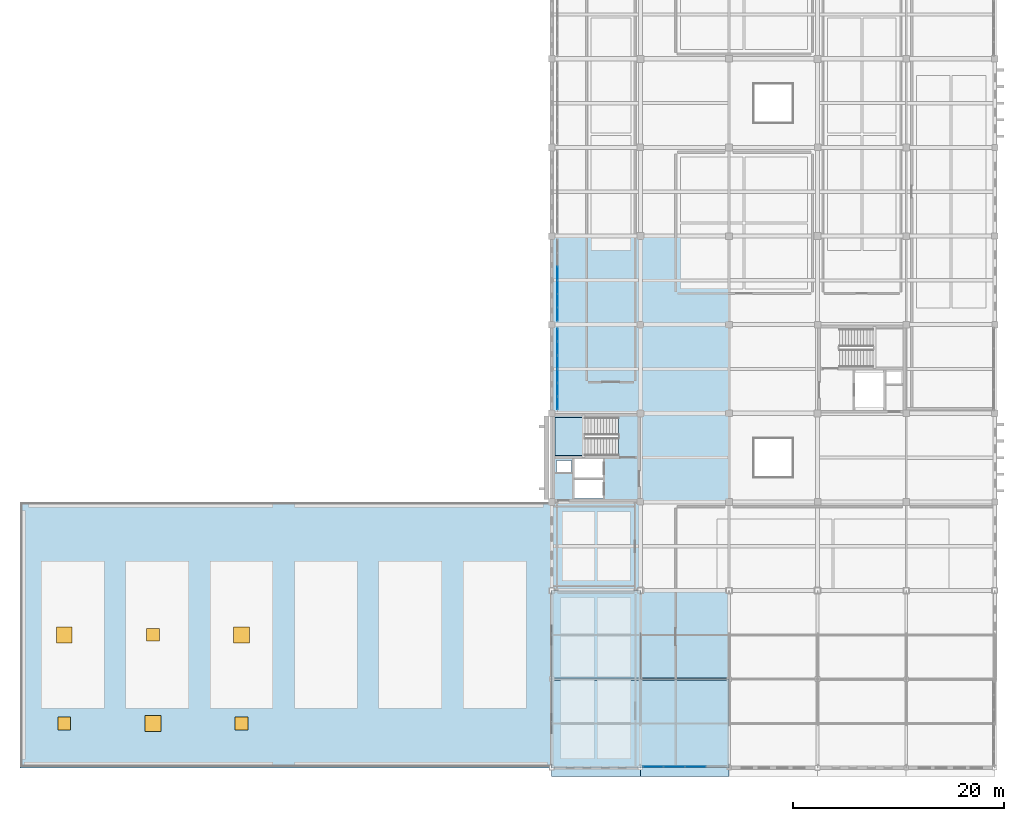
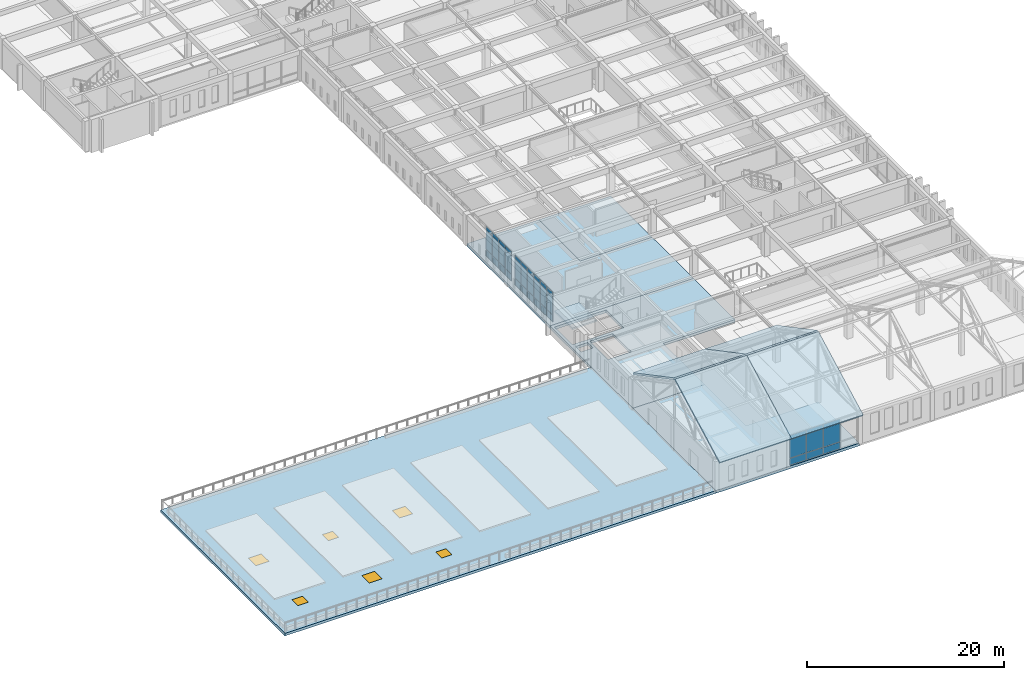
# One storey, part 22 of 47: 39 plates, 10 slabs, 6 windows, 6 openings, 4 elements without a shape of their own.
"""IFC4 building model written with IfcOpenShell, lengths in metres."""

from ifc_helpers import new_model, si_unit, direction, frame, origin, origin_2d, place, context, subcontext, project, spatial, polyline, rectangle, outline, extrude, material, layer, layer_set, type_object, element, fill, aggregate, save


model = new_model("IFC4")

# Units and contexts
model_context = context("Model", 3, precision=1e-05, world=origin(), true_north=direction((0.0, 1.0)))
body_context = subcontext(model_context, "Body", "Model", "MODEL_VIEW")
ifc_project = project(units=[si_unit("LENGTHUNIT", "METRE"), si_unit("AREAUNIT", "SQUARE_METRE"), si_unit("VOLUMEUNIT", "CUBIC_METRE"), si_unit("PLANEANGLEUNIT", "RADIAN"), si_unit("MASSUNIT", "GRAM", prefix="KILO")], contexts=[model_context])

# Site, building, storey
site_placement = place(None, origin())
site = spatial("IfcSite", under=ifc_project, at=site_placement, CompositionType="ELEMENT")
building_placement = place(site_placement, origin())
building = spatial("IfcBuilding", under=site, at=building_placement, Name="Kveldsbrygga Polytechnic", CompositionType="ELEMENT")
storey_placement = place(building_placement, frame((0.0, 0.0, 13.93994140625)))
storey = spatial("IfcBuildingStorey", under=building, at=storey_placement, Name="L03", CompositionType="ELEMENT", Elevation=13.93994140625)

# Curtain wall, plates
ifc_material_1 = material(Name="Anodised aluminium AW-6060", Category="aluminium")
ifc_layer_1 = layer(ifc_material_1, 0.179931640625)
ifc_layer_set_1 = layer_set([ifc_layer_1], Name="Anodised aluminium AW-6060")
curtain_wall_type_1 = type_object("IfcCurtainWallType", Name="CW-CONC-A", PredefinedType="USERDEFINED", material=ifc_layer_set_1)
curtain_wall_1_placement = place(storey_placement, origin())
curtain_wall_1 = element("IfcCurtainWall", 1, at=curtain_wall_1_placement, inside=storey, type_object=curtain_wall_type_1, Name="Curtain Wall CW-L03-Y-15-05", ObjectType="UNITISED CURTAIN WALL", PredefinedType="USERDEFINED")
ifc_material_2 = material(Name="Insulated triple low-E glass", Category="glass")
ifc_layer_2 = layer(ifc_material_2, 0.035888671875)
ifc_layer_set_2 = layer_set([ifc_layer_2], Name="Insulated triple low-E glass")
plate_type_1 = type_object("IfcPlateType", Name="CW-PAN-VIS36", PredefinedType="CURTAIN_PANEL", material=ifc_layer_set_2)
plate_1_placement = place(storey_placement, frame((126.550048828125, 42.974609375, 0.06005859375), z_axis=(0.0, 0.0, 1.0), x_axis=(0.0, 1.0, 0.0)))
plate_1 = element("IfcPlate", 2, at=plate_1_placement, type_object=plate_type_1, Name="CW-01 panel 1.1", PredefinedType="CURTAIN_PANEL", context=body_context, shape_type="SweptSolid", body=[
    extrude(rectangle(XDim=1.209228515625, YDim=0.035888671875, at=origin_2d()), origin(), (0.0, 0.0, 1.0), 0.81005859375),
])
plate_2_placement = place(storey_placement, frame((126.550048828125, 42.974609375, 0.929931640625), z_axis=(0.0, 0.0, 1.0), x_axis=(0.0, 1.0, 0.0)))
plate_2 = element("IfcPlate", 3, at=plate_2_placement, type_object=plate_type_1, Name="CW-01 panel 1.2", PredefinedType="CURTAIN_PANEL", context=body_context, shape_type="SweptSolid", body=[
    extrude(rectangle(XDim=1.209228515625, YDim=0.035888671875, at=origin_2d()), origin(), (0.0, 0.0, 1.0), 2.27001953125),
])
plate_3_placement = place(storey_placement, frame((126.550048828125, 42.974609375, 3.260009765625), z_axis=(0.0, 0.0, 1.0), x_axis=(0.0, 1.0, 0.0)))
plate_3 = element("IfcPlate", 4, at=plate_3_placement, type_object=plate_type_1, Name="CW-01 panel 1.3", PredefinedType="CURTAIN_PANEL", context=body_context, shape_type="SweptSolid", body=[
    extrude(rectangle(XDim=1.209228515625, YDim=0.035888671875, at=origin_2d()), origin(), (0.0, 0.0, 1.0), 0.4599609375),
])
plate_4_placement = place(storey_placement, frame((126.550048828125, 44.2587890625, 0.06005859375), z_axis=(0.0, 0.0, 1.0), x_axis=(0.0, 1.0, 0.0)))
plate_4 = element("IfcPlate", 5, at=plate_4_placement, type_object=plate_type_1, Name="CW-01 panel 2.1", PredefinedType="CURTAIN_PANEL", context=body_context, shape_type="SweptSolid", body=[
    extrude(rectangle(XDim=1.2392578125, YDim=0.035888671875, at=origin_2d()), origin(), (0.0, 0.0, 1.0), 0.81005859375),
])
plate_5_placement = place(storey_placement, frame((126.550048828125, 44.2587890625, 0.929931640625), z_axis=(0.0, 0.0, 1.0), x_axis=(0.0, 1.0, 0.0)))
plate_5 = element("IfcPlate", 6, at=plate_5_placement, type_object=plate_type_1, Name="CW-01 panel 2.2", PredefinedType="CURTAIN_PANEL", context=body_context, shape_type="SweptSolid", body=[
    extrude(rectangle(XDim=1.2392578125, YDim=0.035888671875, at=origin_2d()), origin(), (0.0, 0.0, 1.0), 2.27001953125),
])
plate_6_placement = place(storey_placement, frame((126.550048828125, 44.2587890625, 3.260009765625), z_axis=(0.0, 0.0, 1.0), x_axis=(0.0, 1.0, 0.0)))
plate_6 = element("IfcPlate", 7, at=plate_6_placement, type_object=plate_type_1, Name="CW-01 panel 2.3", PredefinedType="CURTAIN_PANEL", context=body_context, shape_type="SweptSolid", body=[
    extrude(rectangle(XDim=1.2392578125, YDim=0.035888671875, at=origin_2d()), origin(), (0.0, 0.0, 1.0), 0.4599609375),
])
plate_7_placement = place(storey_placement, frame((126.550048828125, 45.557861328125, 0.06005859375), z_axis=(0.0, 0.0, 1.0), x_axis=(0.0, 1.0, 0.0)))
plate_7 = element("IfcPlate", 8, at=plate_7_placement, type_object=plate_type_1, Name="CW-01 panel 3.1", PredefinedType="CURTAIN_PANEL", context=body_context, shape_type="SweptSolid", body=[
    extrude(rectangle(XDim=1.2392578125, YDim=0.035888671875, at=origin_2d()), origin(), (0.0, 0.0, 1.0), 0.81005859375),
])
plate_8_placement = place(storey_placement, frame((126.550048828125, 45.557861328125, 0.929931640625), z_axis=(0.0, 0.0, 1.0), x_axis=(0.0, 1.0, 0.0)))
plate_8 = element("IfcPlate", 9, at=plate_8_placement, type_object=plate_type_1, Name="CW-01 panel 3.2", PredefinedType="CURTAIN_PANEL", context=body_context, shape_type="SweptSolid", body=[
    extrude(rectangle(XDim=1.2392578125, YDim=0.035888671875, at=origin_2d()), origin(), (0.0, 0.0, 1.0), 2.27001953125),
])
plate_9_placement = place(storey_placement, frame((126.550048828125, 45.557861328125, 3.260009765625), z_axis=(0.0, 0.0, 1.0), x_axis=(0.0, 1.0, 0.0)))
plate_9 = element("IfcPlate", 10, at=plate_9_placement, type_object=plate_type_1, Name="CW-01 panel 3.3", PredefinedType="CURTAIN_PANEL", context=body_context, shape_type="SweptSolid", body=[
    extrude(rectangle(XDim=1.2392578125, YDim=0.035888671875, at=origin_2d()), origin(), (0.0, 0.0, 1.0), 0.4599609375),
])
plate_10_placement = place(storey_placement, frame((126.550048828125, 46.857177734375, 0.06005859375), z_axis=(0.0, 0.0, 1.0), x_axis=(0.0, 1.0, 0.0)))
plate_10 = element("IfcPlate", 11, at=plate_10_placement, type_object=plate_type_1, Name="CW-01 panel 4.1", PredefinedType="CURTAIN_PANEL", context=body_context, shape_type="SweptSolid", body=[
    extrude(rectangle(XDim=1.2392578125, YDim=0.035888671875, at=origin_2d()), origin(), (0.0, 0.0, 1.0), 0.81005859375),
])
plate_11_placement = place(storey_placement, frame((126.550048828125, 46.857177734375, 0.929931640625), z_axis=(0.0, 0.0, 1.0), x_axis=(0.0, 1.0, 0.0)))
plate_11 = element("IfcPlate", 12, at=plate_11_placement, type_object=plate_type_1, Name="CW-01 panel 4.2", PredefinedType="CURTAIN_PANEL", context=body_context, shape_type="SweptSolid", body=[
    extrude(rectangle(XDim=1.2392578125, YDim=0.035888671875, at=origin_2d()), origin(), (0.0, 0.0, 1.0), 2.27001953125),
])
plate_12_placement = place(storey_placement, frame((126.550048828125, 46.857177734375, 3.260009765625), z_axis=(0.0, 0.0, 1.0), x_axis=(0.0, 1.0, 0.0)))
plate_12 = element("IfcPlate", 13, at=plate_12_placement, type_object=plate_type_1, Name="CW-01 panel 4.3", PredefinedType="CURTAIN_PANEL", context=body_context, shape_type="SweptSolid", body=[
    extrude(rectangle(XDim=1.2392578125, YDim=0.035888671875, at=origin_2d()), origin(), (0.0, 0.0, 1.0), 0.4599609375),
])
aggregate(curtain_wall_1, [plate_1, plate_2, plate_3, plate_4, plate_5, plate_6, plate_7, plate_8, plate_9, plate_10, plate_11, plate_12])

ifc_layer_3 = layer(ifc_material_1, 0.2099609375)
ifc_layer_set_3 = layer_set([ifc_layer_3], Name="Anodised aluminium AW-6060")
curtain_wall_type_2 = type_object("IfcCurtainWallType", Name="CW-LIBR-H", PredefinedType="USERDEFINED", material=ifc_layer_set_3)
curtain_wall_2_placement = place(storey_placement, origin())
curtain_wall_2 = element("IfcCurtainWall", 14, at=curtain_wall_2_placement, inside=storey, type_object=curtain_wall_type_2, Name="Curtain Wall CW-L03-Y-15-04", ObjectType="UNITISED CURTAIN WALL", PredefinedType="USERDEFINED")
ifc_layer_4 = layer(ifc_material_2, 0.0419921875)
ifc_layer_set_4 = layer_set([ifc_layer_4], Name="Insulated triple low-E glass")
plate_type_2 = type_object("IfcPlateType", Name="CW-PAN-VIS42", PredefinedType="CURTAIN_PANEL", material=ifc_layer_set_4)
plate_13_placement = place(storey_placement, frame((126.550048828125, 34.563232421875, 0.06005859375), z_axis=(0.0, 0.0, 1.0), x_axis=(0.0, 1.0, 0.0)))
plate_13 = element("IfcPlate", 15, at=plate_13_placement, type_object=plate_type_2, Name="CW-08 panel 1.1", PredefinedType="CURTAIN_PANEL", context=body_context, shape_type="SweptSolid", body=[
    extrude(rectangle(XDim=1.186767578125, YDim=0.0419921875, at=origin_2d()), origin(), (0.0, 0.0, 1.0), 0.81005859375),
])
plate_14_placement = place(storey_placement, frame((126.550048828125, 34.563232421875, 0.929931640625), z_axis=(0.0, 0.0, 1.0), x_axis=(0.0, 1.0, 0.0)))
plate_14 = element("IfcPlate", 16, at=plate_14_placement, type_object=plate_type_2, Name="CW-08 panel 1.2", PredefinedType="CURTAIN_PANEL", context=body_context, shape_type="SweptSolid", body=[
    extrude(rectangle(XDim=1.186767578125, YDim=0.0419921875, at=origin_2d()), origin(), (0.0, 0.0, 1.0), 2.27001953125),
])
plate_15_placement = place(storey_placement, frame((126.550048828125, 34.563232421875, 3.260009765625), z_axis=(0.0, 0.0, 1.0), x_axis=(0.0, 1.0, 0.0)))
plate_15 = element("IfcPlate", 17, at=plate_15_placement, type_object=plate_type_2, Name="CW-08 panel 1.3", PredefinedType="CURTAIN_PANEL", context=body_context, shape_type="SweptSolid", body=[
    extrude(rectangle(XDim=1.186767578125, YDim=0.0419921875, at=origin_2d()), origin(), (0.0, 0.0, 1.0), 0.4599609375),
])
plate_16_placement = place(storey_placement, frame((126.550048828125, 35.84375, 0.06005859375), z_axis=(0.0, 0.0, 1.0), x_axis=(0.0, 1.0, 0.0)))
plate_16 = element("IfcPlate", 18, at=plate_16_placement, type_object=plate_type_2, Name="CW-08 panel 2.1", PredefinedType="CURTAIN_PANEL", context=body_context, shape_type="SweptSolid", body=[
    extrude(rectangle(XDim=1.22412109375, YDim=0.0419921875, at=origin_2d()), origin(), (0.0, 0.0, 1.0), 0.81005859375),
])
plate_17_placement = place(storey_placement, frame((126.550048828125, 35.84375, 0.929931640625), z_axis=(0.0, 0.0, 1.0), x_axis=(0.0, 1.0, 0.0)))
plate_17 = element("IfcPlate", 19, at=plate_17_placement, type_object=plate_type_2, Name="CW-08 panel 2.2", PredefinedType="CURTAIN_PANEL", context=body_context, shape_type="SweptSolid", body=[
    extrude(rectangle(XDim=1.22412109375, YDim=0.0419921875, at=origin_2d()), origin(), (0.0, 0.0, 1.0), 2.27001953125),
])
plate_18_placement = place(storey_placement, frame((126.550048828125, 35.84375, 3.260009765625), z_axis=(0.0, 0.0, 1.0), x_axis=(0.0, 1.0, 0.0)))
plate_18 = element("IfcPlate", 20, at=plate_18_placement, type_object=plate_type_2, Name="CW-08 panel 2.3", PredefinedType="CURTAIN_PANEL", context=body_context, shape_type="SweptSolid", body=[
    extrude(rectangle(XDim=1.22412109375, YDim=0.0419921875, at=origin_2d()), origin(), (0.0, 0.0, 1.0), 0.4599609375),
])
plate_19_placement = place(storey_placement, frame((126.550048828125, 37.142822265625, 0.06005859375), z_axis=(0.0, 0.0, 1.0), x_axis=(0.0, 1.0, 0.0)))
plate_19 = element("IfcPlate", 21, at=plate_19_placement, type_object=plate_type_2, Name="CW-08 panel 3.1", PredefinedType="CURTAIN_PANEL", context=body_context, shape_type="SweptSolid", body=[
    extrude(rectangle(XDim=1.22412109375, YDim=0.0419921875, at=origin_2d()), origin(), (0.0, 0.0, 1.0), 0.81005859375),
])
plate_20_placement = place(storey_placement, frame((126.550048828125, 37.142822265625, 0.929931640625), z_axis=(0.0, 0.0, 1.0), x_axis=(0.0, 1.0, 0.0)))
plate_20 = element("IfcPlate", 22, at=plate_20_placement, type_object=plate_type_2, Name="CW-08 panel 3.2", PredefinedType="CURTAIN_PANEL", context=body_context, shape_type="SweptSolid", body=[
    extrude(rectangle(XDim=1.22412109375, YDim=0.0419921875, at=origin_2d()), origin(), (0.0, 0.0, 1.0), 2.27001953125),
])
plate_21_placement = place(storey_placement, frame((126.550048828125, 37.142822265625, 3.260009765625), z_axis=(0.0, 0.0, 1.0), x_axis=(0.0, 1.0, 0.0)))
plate_21 = element("IfcPlate", 23, at=plate_21_placement, type_object=plate_type_2, Name="CW-08 panel 3.3", PredefinedType="CURTAIN_PANEL", context=body_context, shape_type="SweptSolid", body=[
    extrude(rectangle(XDim=1.22412109375, YDim=0.0419921875, at=origin_2d()), origin(), (0.0, 0.0, 1.0), 0.4599609375),
])
plate_22_placement = place(storey_placement, frame((126.550048828125, 38.442138671875, 0.06005859375), z_axis=(0.0, 0.0, 1.0), x_axis=(0.0, 1.0, 0.0)))
plate_22 = element("IfcPlate", 24, at=plate_22_placement, type_object=plate_type_2, Name="CW-08 panel 4.1", PredefinedType="CURTAIN_PANEL", context=body_context, shape_type="SweptSolid", body=[
    extrude(rectangle(XDim=1.22412109375, YDim=0.0419921875, at=origin_2d()), origin(), (0.0, 0.0, 1.0), 0.81005859375),
])
plate_23_placement = place(storey_placement, frame((126.550048828125, 38.442138671875, 0.929931640625), z_axis=(0.0, 0.0, 1.0), x_axis=(0.0, 1.0, 0.0)))
plate_23 = element("IfcPlate", 25, at=plate_23_placement, type_object=plate_type_2, Name="CW-08 panel 4.2", PredefinedType="CURTAIN_PANEL", context=body_context, shape_type="SweptSolid", body=[
    extrude(rectangle(XDim=1.22412109375, YDim=0.0419921875, at=origin_2d()), origin(), (0.0, 0.0, 1.0), 2.27001953125),
])
plate_24_placement = place(storey_placement, frame((126.550048828125, 38.442138671875, 3.260009765625), z_axis=(0.0, 0.0, 1.0), x_axis=(0.0, 1.0, 0.0)))
plate_24 = element("IfcPlate", 26, at=plate_24_placement, type_object=plate_type_2, Name="CW-08 panel 4.3", PredefinedType="CURTAIN_PANEL", context=body_context, shape_type="SweptSolid", body=[
    extrude(rectangle(XDim=1.22412109375, YDim=0.0419921875, at=origin_2d()), origin(), (0.0, 0.0, 1.0), 0.4599609375),
])
plate_25_placement = place(storey_placement, frame((126.550048828125, 39.7412109375, 0.06005859375), z_axis=(0.0, 0.0, 1.0), x_axis=(0.0, 1.0, 0.0)))
plate_25 = element("IfcPlate", 27, at=plate_25_placement, type_object=plate_type_2, Name="CW-08 panel 5.1", PredefinedType="CURTAIN_PANEL", context=body_context, shape_type="SweptSolid", body=[
    extrude(rectangle(XDim=1.22412109375, YDim=0.0419921875, at=origin_2d()), origin(), (0.0, 0.0, 1.0), 0.81005859375),
])
plate_26_placement = place(storey_placement, frame((126.550048828125, 39.7412109375, 0.929931640625), z_axis=(0.0, 0.0, 1.0), x_axis=(0.0, 1.0, 0.0)))
plate_26 = element("IfcPlate", 28, at=plate_26_placement, type_object=plate_type_2, Name="CW-08 panel 5.2", PredefinedType="CURTAIN_PANEL", context=body_context, shape_type="SweptSolid", body=[
    extrude(rectangle(XDim=1.22412109375, YDim=0.0419921875, at=origin_2d()), origin(), (0.0, 0.0, 1.0), 2.27001953125),
])
plate_27_placement = place(storey_placement, frame((126.550048828125, 39.7412109375, 3.260009765625), z_axis=(0.0, 0.0, 1.0), x_axis=(0.0, 1.0, 0.0)))
plate_27 = element("IfcPlate", 29, at=plate_27_placement, type_object=plate_type_2, Name="CW-08 panel 5.3", PredefinedType="CURTAIN_PANEL", context=body_context, shape_type="SweptSolid", body=[
    extrude(rectangle(XDim=1.22412109375, YDim=0.0419921875, at=origin_2d()), origin(), (0.0, 0.0, 1.0), 0.4599609375),
])
plate_28_placement = place(storey_placement, frame((126.550048828125, 41.021728515625, 0.06005859375), z_axis=(0.0, 0.0, 1.0), x_axis=(0.0, 1.0, 0.0)))
plate_28 = element("IfcPlate", 30, at=plate_28_placement, type_object=plate_type_2, Name="CW-08 panel 6.1", PredefinedType="CURTAIN_PANEL", context=body_context, shape_type="SweptSolid", body=[
    extrude(rectangle(XDim=1.186767578125, YDim=0.0419921875, at=origin_2d()), origin(), (0.0, 0.0, 1.0), 0.81005859375),
])
plate_29_placement = place(storey_placement, frame((126.550048828125, 41.021728515625, 0.929931640625), z_axis=(0.0, 0.0, 1.0), x_axis=(0.0, 1.0, 0.0)))
plate_29 = element("IfcPlate", 31, at=plate_29_placement, type_object=plate_type_2, Name="CW-08 panel 6.2", PredefinedType="CURTAIN_PANEL", context=body_context, shape_type="SweptSolid", body=[
    extrude(rectangle(XDim=1.186767578125, YDim=0.0419921875, at=origin_2d()), origin(), (0.0, 0.0, 1.0), 2.27001953125),
])
plate_30_placement = place(storey_placement, frame((126.550048828125, 41.021728515625, 3.260009765625), z_axis=(0.0, 0.0, 1.0), x_axis=(0.0, 1.0, 0.0)))
plate_30 = element("IfcPlate", 32, at=plate_30_placement, type_object=plate_type_2, Name="CW-08 panel 6.3", PredefinedType="CURTAIN_PANEL", context=body_context, shape_type="SweptSolid", body=[
    extrude(rectangle(XDim=1.186767578125, YDim=0.0419921875, at=origin_2d()), origin(), (0.0, 0.0, 1.0), 0.4599609375),
])
aggregate(curtain_wall_2, [plate_13, plate_14, plate_15, plate_16, plate_17, plate_18, plate_19, plate_20, plate_21, plate_22, plate_23, plate_24, plate_25, plate_26, plate_27, plate_28, plate_29, plate_30])

ifc_layer_5 = layer(ifc_material_1, 0.199951171875)
ifc_layer_set_5 = layer_set([ifc_layer_5], Name="Anodised aluminium AW-6060")
curtain_wall_type_3 = type_object("IfcCurtainWallType", Name="CW-LANC-E", PredefinedType="USERDEFINED", material=ifc_layer_set_5)
curtain_wall_3_placement = place(storey_placement, origin())
curtain_wall_3 = element("IfcCurtainWall", 33, at=curtain_wall_3_placement, inside=storey, type_object=curtain_wall_type_3, Name="Curtain Wall CW-L03-X-16-00", ObjectType="UNITISED CURTAIN WALL", PredefinedType="USERDEFINED")
plate_31_placement = place(storey_placement, frame((135.624267578125, 0.10009765625, 0.06005859375), z_axis=(0.0, 0.0, 1.0), x_axis=(1.0, 0.0, 0.0)))
plate_31 = element("IfcPlate", 34, at=plate_31_placement, type_object=plate_type_2, Name="CW-05 panel 1.1", PredefinedType="CURTAIN_PANEL", context=body_context, shape_type="SweptSolid", body=[
    extrude(rectangle(XDim=1.90869140625, YDim=0.0419921875, at=origin_2d()), origin(), (0.0, 0.0, 1.0), 0.81005859375),
])
plate_32_placement = place(storey_placement, frame((135.624267578125, 0.10009765625, 0.929931640625), z_axis=(0.0, 0.0, 1.0), x_axis=(1.0, 0.0, 0.0)))
plate_32 = element("IfcPlate", 35, at=plate_32_placement, type_object=plate_type_2, Name="CW-05 panel 1.2", PredefinedType="CURTAIN_PANEL", context=body_context, shape_type="SweptSolid", body=[
    extrude(rectangle(XDim=1.90869140625, YDim=0.0419921875, at=origin_2d()), origin(), (0.0, 0.0, 1.0), 2.27001953125),
])
plate_33_placement = place(storey_placement, frame((135.624267578125, 0.10009765625, 3.260009765625), z_axis=(0.0, 0.0, 1.0), x_axis=(1.0, 0.0, 0.0)))
plate_33 = element("IfcPlate", 36, at=plate_33_placement, type_object=plate_type_2, Name="CW-05 panel 1.3", PredefinedType="CURTAIN_PANEL", context=body_context, shape_type="SweptSolid", body=[
    extrude(rectangle(XDim=1.90869140625, YDim=0.0419921875, at=origin_2d()), origin(), (0.0, 0.0, 1.0), 0.4599609375),
])
plate_34_placement = place(storey_placement, frame((137.608154296875, 0.10009765625, 0.06005859375), z_axis=(0.0, 0.0, 1.0), x_axis=(1.0, 0.0, 0.0)))
plate_34 = element("IfcPlate", 37, at=plate_34_placement, type_object=plate_type_2, Name="CW-05 panel 2.1", PredefinedType="CURTAIN_PANEL", context=body_context, shape_type="SweptSolid", body=[
    extrude(rectangle(XDim=1.938720703125, YDim=0.0419921875, at=origin_2d()), origin(), (0.0, 0.0, 1.0), 0.81005859375),
])
plate_35_placement = place(storey_placement, frame((137.608154296875, 0.10009765625, 0.929931640625), z_axis=(0.0, 0.0, 1.0), x_axis=(1.0, 0.0, 0.0)))
plate_35 = element("IfcPlate", 38, at=plate_35_placement, type_object=plate_type_2, Name="CW-05 panel 2.2", PredefinedType="CURTAIN_PANEL", context=body_context, shape_type="SweptSolid", body=[
    extrude(rectangle(XDim=1.938720703125, YDim=0.0419921875, at=origin_2d()), origin(), (0.0, 0.0, 1.0), 2.27001953125),
])
plate_36_placement = place(storey_placement, frame((137.608154296875, 0.10009765625, 3.260009765625), z_axis=(0.0, 0.0, 1.0), x_axis=(1.0, 0.0, 0.0)))
plate_36 = element("IfcPlate", 39, at=plate_36_placement, type_object=plate_type_2, Name="CW-05 panel 2.3", PredefinedType="CURTAIN_PANEL", context=body_context, shape_type="SweptSolid", body=[
    extrude(rectangle(XDim=1.938720703125, YDim=0.0419921875, at=origin_2d()), origin(), (0.0, 0.0, 1.0), 0.4599609375),
])
plate_37_placement = place(storey_placement, frame((139.60693359375, 0.10009765625, 0.06005859375), z_axis=(0.0, 0.0, 1.0), x_axis=(1.0, 0.0, 0.0)))
plate_37 = element("IfcPlate", 40, at=plate_37_placement, type_object=plate_type_2, Name="CW-05 panel 3.1", PredefinedType="CURTAIN_PANEL", context=body_context, shape_type="SweptSolid", body=[
    extrude(rectangle(XDim=1.938720703125, YDim=0.0419921875, at=origin_2d()), origin(), (0.0, 0.0, 1.0), 0.81005859375),
])
plate_38_placement = place(storey_placement, frame((139.60693359375, 0.10009765625, 0.929931640625), z_axis=(0.0, 0.0, 1.0), x_axis=(1.0, 0.0, 0.0)))
plate_38 = element("IfcPlate", 41, at=plate_38_placement, type_object=plate_type_2, Name="CW-05 panel 3.2", PredefinedType="CURTAIN_PANEL", context=body_context, shape_type="SweptSolid", body=[
    extrude(rectangle(XDim=1.938720703125, YDim=0.0419921875, at=origin_2d()), origin(), (0.0, 0.0, 1.0), 2.27001953125),
])
plate_39_placement = place(storey_placement, frame((139.60693359375, 0.10009765625, 3.260009765625), z_axis=(0.0, 0.0, 1.0), x_axis=(1.0, 0.0, 0.0)))
plate_39 = element("IfcPlate", 42, at=plate_39_placement, type_object=plate_type_2, Name="CW-05 panel 3.3", PredefinedType="CURTAIN_PANEL", context=body_context, shape_type="SweptSolid", body=[
    extrude(rectangle(XDim=1.938720703125, YDim=0.0419921875, at=origin_2d()), origin(), (0.0, 0.0, 1.0), 0.4599609375),
])
aggregate(curtain_wall_3, [plate_31, plate_32, plate_33, plate_34, plate_35, plate_36, plate_37, plate_38, plate_39])

# Stair, slab
ifc_material_3 = material(Name="Concrete C35/45", Category="concrete")
stair_type = type_object("IfcStairType", Name="STR-CORE-408", PredefinedType="HALF_TURN_STAIR", material=ifc_material_3)
stair_placement = place(storey_placement, origin())
stair = element("IfcStair", 43, at=stair_placement, inside=storey, type_object=stair_type, Name="L03 Core C1 Escape Stair ST-1", PredefinedType="HALF_TURN_STAIR")
ifc_layer_6 = layer(ifc_material_3, 0.199951171875)
ifc_layer_set_6 = layer_set([ifc_layer_6], Name="Concrete C35/45")
slab_type_1 = type_object("IfcSlabType", Name="SLB-LANDING-200", PredefinedType="LANDING", material=ifc_layer_set_6)
slab_1_placement = place(storey_placement, frame((0.0, 0.0, 1.840087890625)))
slab_1 = element("IfcSlab", 44, at=slab_1_placement, type_object=slab_type_1, Name="ST-1 landing 1", PredefinedType="LANDING", context=body_context, shape_type="SweptSolid", body=[
    extrude(outline(polyline([(129.159912109375, 33.199951171875), (126.300048828125, 33.199951171875), (126.300048828125, 29.60009765625), (129.159912109375, 29.60009765625), (129.159912109375, 33.199951171875)])), origin(), (0.0, 0.0, 1.0), 0.199951171875),
])
aggregate(stair, [slab_1])

# Slabs
ifc_layer_7 = layer(ifc_material_3, 0.219970703125)
ifc_layer_set_7 = layer_set([ifc_layer_7], Name="Concrete C35/45")
slab_type_2 = type_object("IfcSlabType", Name="SLB-ROOF-220", PredefinedType="ROOF", material=ifc_layer_set_7)
slab_2_placement = place(storey_placement, frame((126.0, -0.800048828125, 3.984375), z_axis=(0.0, -0.468119209959, 0.883665324242), x_axis=(1.0, 0.0, 0.0)))
element("IfcSlab", 45, at=slab_2_placement, inside=storey, type_object=slab_type_2, Name="Pitched Roof Slab V4S4-RSLB-1-1", PredefinedType="ROOF", context=body_context, shape_type="SweptSolid", body=[
    extrude(outline(polyline([(0.0, 0.0), (8.39990234375, 0.0), (8.39990234375, 10.272156424478153), (0.0, 10.272156424478153), (0.0, 0.0)])), origin(), (0.0, 0.0, -1.0), 0.219970703125),
])
slab_3_placement = place(storey_placement, frame((126.0, 8.52294921875, 8.79296875), z_axis=(0.0, 0.468118833338, 0.883665523756), x_axis=(1.0, 0.0, 0.0)))
element("IfcSlab", 46, at=slab_3_placement, inside=storey, type_object=slab_type_2, Name="Pitched Roof Slab V4S4-RSLB-1-2", PredefinedType="ROOF", context=body_context, shape_type="SweptSolid", body=[
    extrude(outline(polyline([(0.0, 0.0), (8.39990234375, 0.0), (8.39990234375, 9.36677893033125), (0.0, 9.36677893033125), (0.0, 0.0)])), origin(), (0.0, 0.0, -1.0), 0.219970703125),
])
slab_4_placement = place(storey_placement, frame((134.39990234375, -0.800048828125, 3.984375), z_axis=(0.0, -0.468119209959, 0.883665324242), x_axis=(1.0, 0.0, 0.0)))
element("IfcSlab", 47, at=slab_4_placement, inside=storey, type_object=slab_type_2, Name="Pitched Roof Slab V4S4-RSLB-2-1", PredefinedType="ROOF", context=body_context, shape_type="SweptSolid", body=[
    extrude(outline(polyline([(0.0, 0.0), (8.400146484375, 0.0), (8.400146484375, 10.272156424478153), (0.0, 10.272156424478153), (0.0, 0.0)])), origin(), (0.0, 0.0, -1.0), 0.219970703125),
])
slab_5_placement = place(storey_placement, frame((134.39990234375, 8.52294921875, 8.79296875), z_axis=(0.0, 0.468118833338, 0.883665523756), x_axis=(1.0, 0.0, 0.0)))
element("IfcSlab", 48, at=slab_5_placement, inside=storey, type_object=slab_type_2, Name="Pitched Roof Slab V4S4-RSLB-2-2", PredefinedType="ROOF", context=body_context, shape_type="SweptSolid", body=[
    extrude(outline(polyline([(0.0, 0.0), (8.400146484375, 0.0), (8.400146484375, 9.366778930331249), (0.0, 9.366778930331249), (0.0, 0.0)])), origin(), (0.0, 0.0, -1.0), 0.219970703125),
])
ifc_layer_8 = layer(ifc_material_3, 0.330078125)
ifc_layer_set_8 = layer_set([ifc_layer_8], Name="Concrete C35/45")
slab_type_3 = type_object("IfcSlabType", Name="SLB-STACK-330", PredefinedType="FLOOR", material=ifc_layer_set_8)
slab_6_placement = place(storey_placement, frame((0.0, 0.0, -0.329833984375)))
element("IfcSlab", 49, at=slab_6_placement, inside=storey, type_object=slab_type_3, Name="Slab SLB-L03-V4-L03-1", PredefinedType="FLOOR", context=body_context, shape_type="SweptSolid", body=[
    extrude(outline(polyline([(126.0, 0.0), (126.0, 8.39990234375), (126.0, 16.800048828125), (134.39990234375, 16.800048828125), (134.39990234375, 8.39990234375), (142.800048828125, 8.39990234375), (142.800048828125, 0.0), (134.39990234375, 0.0), (126.0, 0.0)])), origin(), (0.0, 0.0, 1.0), 0.329833984375),
])
slab_7_placement = place(storey_placement, frame((0.0, 0.0, -0.329833984375)))
element("IfcSlab", 50, at=slab_7_placement, inside=storey, type_object=slab_type_3, Name="Slab SLB-L03-V4-L04-1", PredefinedType="FLOOR", context=body_context, shape_type="SweptSolid", body=[
    extrude(outline(polyline([(126.0, 33.60009765625), (126.0, 42.0), (126.0, 50.39990234375), (134.39990234375, 50.39990234375), (134.39990234375, 42.0), (142.800048828125, 42.0), (142.800048828125, 33.60009765625), (134.39990234375, 33.60009765625), (126.0, 33.60009765625)])), origin(), (0.0, 0.0, 1.0), 0.329833984375),
])
slab_8_placement = place(storey_placement, frame((0.0, 0.0, -0.329833984375)))
element("IfcSlab", 51, at=slab_8_placement, inside=storey, type_object=slab_type_3, Name="Slab SLB-L03-V4-Z3-2", PredefinedType="FLOOR", context=body_context, shape_type="SweptSolid", body=[
    extrude(outline(polyline([(126.0, 33.60009765625), (134.39990234375, 33.60009765625), (142.800048828125, 33.60009765625), (142.800048828125, 25.199951171875), (134.39990234375, 25.199951171875), (134.39990234375, 16.800048828125), (126.0, 16.800048828125), (126.0, 25.199951171875), (126.0, 33.60009765625)]), holes=[polyline([(132.324951171875, 33.199951171875), (126.300048828125, 33.199951171875), (126.300048828125, 29.60009765625), (132.324951171875, 29.60009765625), (132.324951171875, 33.199951171875)]), polyline([(128.14990234375, 25.550048828125), (130.85009765625, 25.550048828125), (130.85009765625, 29.25), (128.14990234375, 29.25), (128.14990234375, 25.550048828125)]), polyline([(126.449951171875, 28.050048828125), (127.85009765625, 28.050048828125), (127.85009765625, 29.14990234375), (126.449951171875, 29.14990234375), (126.449951171875, 28.050048828125)])]), origin(), (0.0, 0.0, 1.0), 0.329833984375),
])
slab_9_placement = place(storey_placement, frame((0.0, 0.0, -0.329833984375)))
element("IfcSlab", 52, at=slab_9_placement, inside=storey, type_object=slab_type_3, Name="Slab SLB-L03-V4-Z6-1", PredefinedType="FLOOR", context=body_context, shape_type="SweptSolid", body=[
    extrude(outline(polyline([(142.800048828125, 50.39990234375), (142.800048828125, 42.0), (134.39990234375, 42.0), (134.39990234375, 50.39990234375), (142.800048828125, 50.39990234375)])), origin(), (0.0, 0.0, 1.0), 0.329833984375),
])

# Slab, openings, windows
ifc_layer_9 = layer(ifc_material_3, 0.320068359375)
ifc_layer_set_9 = layer_set([ifc_layer_9], Name="Concrete C35/45")
slab_type_4 = type_object("IfcSlabType", Name="SLB-TERRACE-320", PredefinedType="ROOF", material=ifc_layer_set_9)
slab_10_placement = place(storey_placement, frame((0.0, 0.0, -0.31982421875)))
slab_10 = element("IfcSlab", 53, at=slab_10_placement, inside=storey, type_object=slab_type_4, Name="Slab SLB-L03-V3-TERRACE-ALL-1", PredefinedType="ROOF", context=body_context, shape_type="SweptSolid", body=[
    extrude(outline(polyline([(75.60009765625, 25.199951171875), (84.0, 25.199951171875), (92.39990234375, 25.199951171875), (100.800048828125, 25.199951171875), (109.199951171875, 25.199951171875), (117.60009765625, 25.199951171875), (126.0, 25.199951171875), (126.0, 16.800048828125), (126.0, 8.39990234375), (126.0, 0.0), (117.60009765625, 0.0), (109.199951171875, 0.0), (100.800048828125, 0.0), (92.39990234375, 0.0), (84.0, 0.0), (75.60009765625, 0.0), (75.60009765625, 8.39990234375), (75.60009765625, 16.800048828125), (75.60009765625, 25.199951171875)])), origin(), (0.0, 0.0, 1.0), 0.31982421875),
])
opening_1_placement = place(slab_10_placement, frame((79.800048828125, 4.199951171875, 0.0)))
opening_1 = element("IfcOpeningElement", 54, at=opening_1_placement, cuts=slab_10, Name="Opening SK-01", PredefinedType="OPENING", context=body_context, shape_type="SweptSolid", body=[
    extrude(rectangle(XDim=1.199951171875, YDim=1.199951171875, at=origin_2d()), frame((0.0, 0.0, -0.010009765625)), (0.0, 0.0, 1.0), 0.33984375),
])
opening_2_placement = place(slab_10_placement, frame((88.199951171875, 4.199951171875, 0.0)))
opening_2 = element("IfcOpeningElement", 55, at=opening_2_placement, cuts=slab_10, Name="Opening SK-02", PredefinedType="OPENING", context=body_context, shape_type="SweptSolid", body=[
    extrude(rectangle(XDim=1.5, YDim=1.5, at=origin_2d()), frame((0.0, 0.0, -0.010009765625)), (0.0, 0.0, 1.0), 0.33984375),
])
opening_3_placement = place(slab_10_placement, frame((96.60009765625, 4.199951171875, 0.0)))
opening_3 = element("IfcOpeningElement", 56, at=opening_3_placement, cuts=slab_10, Name="Opening SK-01", PredefinedType="OPENING", context=body_context, shape_type="SweptSolid", body=[
    extrude(rectangle(XDim=1.199951171875, YDim=1.199951171875, at=origin_2d()), frame((0.0, 0.0, -0.010009765625)), (0.0, 0.0, 1.0), 0.33984375),
])
opening_4_placement = place(slab_10_placement, frame((79.800048828125, 12.60009765625, 0.0)))
opening_4 = element("IfcOpeningElement", 57, at=opening_4_placement, cuts=slab_10, Name="Opening SK-02", PredefinedType="OPENING", context=body_context, shape_type="SweptSolid", body=[
    extrude(rectangle(XDim=1.5, YDim=1.5, at=origin_2d()), frame((0.0, 0.0, -0.010009765625)), (0.0, 0.0, 1.0), 0.33984375),
])
opening_5_placement = place(slab_10_placement, frame((88.199951171875, 12.60009765625, 0.0)))
opening_5 = element("IfcOpeningElement", 58, at=opening_5_placement, cuts=slab_10, Name="Opening SK-01", PredefinedType="OPENING", context=body_context, shape_type="SweptSolid", body=[
    extrude(rectangle(XDim=1.199951171875, YDim=1.199951171875, at=origin_2d()), frame((0.0, 0.0, -0.010009765625)), (0.0, 0.0, 1.0), 0.33984375),
])
opening_6_placement = place(slab_10_placement, frame((96.60009765625, 12.60009765625, 0.0)))
opening_6 = element("IfcOpeningElement", 59, at=opening_6_placement, cuts=slab_10, Name="Opening SK-02", PredefinedType="OPENING", context=body_context, shape_type="SweptSolid", body=[
    extrude(rectangle(XDim=1.5, YDim=1.5, at=origin_2d()), frame((0.0, 0.0, -0.010009765625)), (0.0, 0.0, 1.0), 0.33984375),
])
window_type_1 = type_object("IfcWindowType", Name="SKY-HATCH-120x120", PartitioningType="SINGLE_PANEL", PredefinedType="SKYLIGHT", material=ifc_material_2)
window_1_placement = place(opening_1_placement, frame((0.0, 0.0, 0.269775390625)))
window_1 = element("IfcWindow", 60, at=window_1_placement, inside=storey, type_object=window_type_1, Name="Terrace Lightwell Skylight SKY-L03-1", OverallHeight=1.199951171875, OverallWidth=1.199951171875, PartitioningType="SINGLE_PANEL", PredefinedType="SKYLIGHT", context=body_context, shape_type="SweptSolid", body=[
    extrude(rectangle(XDim=1.199951171875, YDim=1.199951171875, at=origin_2d()), origin(), (0.0, 0.0, 1.0), 0.050048828125),
])
fill(opening_1, window_1)
window_2_placement = place(opening_3_placement, frame((0.0, 0.0, 0.269775390625)))
window_2 = element("IfcWindow", 61, at=window_2_placement, inside=storey, type_object=window_type_1, Name="Terrace Lightwell Skylight SKY-L03-3", OverallHeight=1.199951171875, OverallWidth=1.199951171875, PartitioningType="SINGLE_PANEL", PredefinedType="SKYLIGHT", context=body_context, shape_type="SweptSolid", body=[
    extrude(rectangle(XDim=1.199951171875, YDim=1.199951171875, at=origin_2d()), origin(), (0.0, 0.0, 1.0), 0.050048828125),
])
fill(opening_3, window_2)
window_3_placement = place(opening_5_placement, frame((0.0, 0.0, 0.269775390625)))
window_3 = element("IfcWindow", 62, at=window_3_placement, inside=storey, type_object=window_type_1, Name="Terrace Lightwell Skylight SKY-L03-5", OverallHeight=1.199951171875, OverallWidth=1.199951171875, PartitioningType="SINGLE_PANEL", PredefinedType="SKYLIGHT", context=body_context, shape_type="SweptSolid", body=[
    extrude(rectangle(XDim=1.199951171875, YDim=1.199951171875, at=origin_2d()), origin(), (0.0, 0.0, 1.0), 0.050048828125),
])
fill(opening_5, window_3)
window_type_2 = type_object("IfcWindowType", Name="SKY-HATCH-150x150", PartitioningType="SINGLE_PANEL", PredefinedType="SKYLIGHT", material=ifc_material_2)
window_4_placement = place(opening_2_placement, frame((0.0, 0.0, 0.269775390625)))
window_4 = element("IfcWindow", 63, at=window_4_placement, inside=storey, type_object=window_type_2, Name="Terrace Lightwell Skylight SKY-L03-2", OverallHeight=1.5, OverallWidth=1.5, PartitioningType="SINGLE_PANEL", PredefinedType="SKYLIGHT", context=body_context, shape_type="SweptSolid", body=[
    extrude(rectangle(XDim=1.5, YDim=1.5, at=origin_2d()), origin(), (0.0, 0.0, 1.0), 0.050048828125),
])
fill(opening_2, window_4)
window_5_placement = place(opening_4_placement, frame((0.0, 0.0, 0.269775390625)))
window_5 = element("IfcWindow", 64, at=window_5_placement, inside=storey, type_object=window_type_2, Name="Terrace Lightwell Skylight SKY-L03-4", OverallHeight=1.5, OverallWidth=1.5, PartitioningType="SINGLE_PANEL", PredefinedType="SKYLIGHT", context=body_context, shape_type="SweptSolid", body=[
    extrude(rectangle(XDim=1.5, YDim=1.5, at=origin_2d()), origin(), (0.0, 0.0, 1.0), 0.050048828125),
])
fill(opening_4, window_5)
window_6_placement = place(opening_6_placement, frame((0.0, 0.0, 0.269775390625)))
window_6 = element("IfcWindow", 65, at=window_6_placement, inside=storey, type_object=window_type_2, Name="Terrace Lightwell Skylight SKY-L03-6", OverallHeight=1.5, OverallWidth=1.5, PartitioningType="SINGLE_PANEL", PredefinedType="SKYLIGHT", context=body_context, shape_type="SweptSolid", body=[
    extrude(rectangle(XDim=1.5, YDim=1.5, at=origin_2d()), origin(), (0.0, 0.0, 1.0), 0.050048828125),
])
fill(opening_6, window_6)

save(model, "model.ifc")
